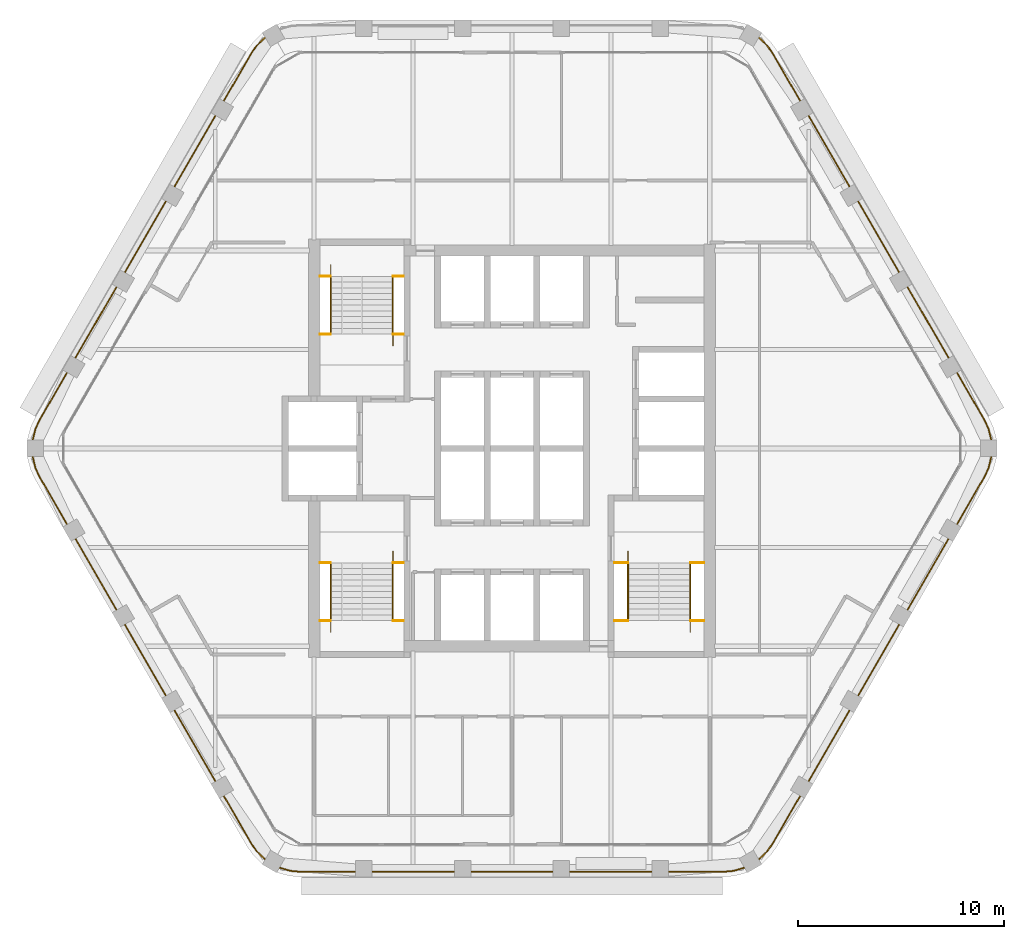
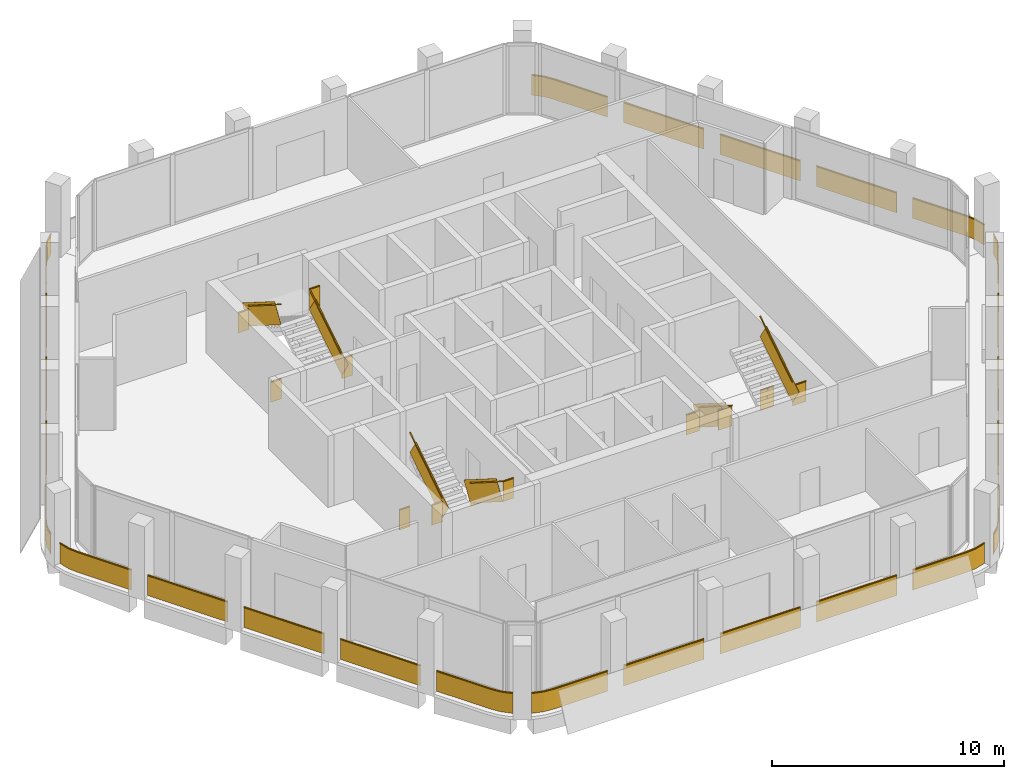
# One storey, part 12 of 13: 11 railings.
"""IFC4 building model written with IfcOpenShell, lengths in metres."""

from ifc_helpers import new_model, si_unit, direction, frame, frame_2d, origin, origin_2d, place, context, subcontext, project, spatial, rectangle, extrude, material, type_object, element, save


model = new_model("IFC4")

# Units and contexts
model_context = context("Model", 3, precision=1e-05, world=origin(), true_north=direction((0.0, 1.0)))
body_context = subcontext(model_context, "Body", "Model", "MODEL_VIEW")
ifc_project = project(units=[si_unit("LENGTHUNIT", "METRE"), si_unit("AREAUNIT", "SQUARE_METRE"), si_unit("VOLUMEUNIT", "CUBIC_METRE"), si_unit("PLANEANGLEUNIT", "RADIAN"), si_unit("MASSUNIT", "GRAM", prefix="KILO")], contexts=[model_context])

# Site, building, storey
site_placement = place(None, origin())
site = spatial("IfcSite", under=ifc_project, at=site_placement, CompositionType="ELEMENT")
building_placement = place(site_placement, origin())
building = spatial("IfcBuilding", under=site, at=building_placement, Name="Kolab Exchange Tower", CompositionType="ELEMENT")
storey_placement = place(building_placement, frame((0.0, 0.0, 277.39990234375)))
storey = spatial("IfcBuildingStorey", under=building, at=storey_placement, Name="L62", CompositionType="ELEMENT", Elevation=277.39990234375)

# Railings
ifc_material_1 = material(Name="Stainless steel 316", Category="steel")
railing_type_1 = type_object("IfcRailingType", Name="GUARD 1100", PredefinedType="GUARDRAIL", material=ifc_material_1)
railing_1_placement = place(storey_placement, frame((-9.324951171875, 5.550048828125, 0.0)))
element("IfcRailing", 1, at=railing_1_placement, inside=storey, type_object=railing_type_1, Name="Guard ST1", PredefinedType="GUARDRAIL", context=body_context, shape_type="SweptSolid", body=[
    extrude(rectangle(XDim=0.05, YDim=0.05, at=origin_2d()), frame((0.0, 0.0, 1.0751953125), z_axis=(1.0, 0.0, 0.0), x_axis=(0.0, 1.0, 0.0)), (0.0, 0.0, 1.0), 0.52734375),
    extrude(rectangle(XDim=0.012, YDim=1.05009765625, at=frame_2d((0.0, 0.525146484375))), frame((0.0, 0.0, 0.0), z_axis=(1.0, 0.0, 0.0), x_axis=(0.0, 1.0, 0.0)), (0.0, 0.0, 1.0), 0.52734375),
    extrude(rectangle(XDim=0.05, YDim=0.05, at=origin_2d()), frame((3.54736328125, 0.0, 1.0751953125), z_axis=(1.0, 0.0, 0.0), x_axis=(0.0, 1.0, 0.0)), (0.0, 0.0, 1.0), 0.527587890625),
    extrude(rectangle(XDim=0.012, YDim=1.05009765625, at=frame_2d((0.0, 0.525146484375))), frame((3.54736328125, 0.0, 0.0), z_axis=(1.0, 0.0, 0.0), x_axis=(0.0, 1.0, 0.0)), (0.0, 0.0, 1.0), 0.527587890625),
    extrude(rectangle(XDim=0.05, YDim=0.05, at=origin_2d()), frame((0.0, 2.800048828125, 3.025390625), z_axis=(1.0, 0.0, 0.0), x_axis=(0.0, 1.0, 0.0)), (0.0, 0.0, 1.0), 0.52734375),
    extrude(rectangle(XDim=0.012, YDim=1.05009765625, at=frame_2d((0.0, 0.525146484375))), frame((0.0, 2.800048828125, 1.9501953125), z_axis=(1.0, 0.0, 0.0), x_axis=(0.0, 1.0, 0.0)), (0.0, 0.0, 1.0), 0.52734375),
    extrude(rectangle(XDim=0.05, YDim=0.05, at=origin_2d()), frame((3.54736328125, 2.800048828125, 3.025390625), z_axis=(1.0, 0.0, 0.0), x_axis=(0.0, 1.0, 0.0)), (0.0, 0.0, 1.0), 0.527587890625),
    extrude(rectangle(XDim=0.012, YDim=1.05009765625, at=frame_2d((0.0, 0.525146484375))), frame((3.54736328125, 2.800048828125, 1.9501953125), z_axis=(1.0, 0.0, 0.0), x_axis=(0.0, 1.0, 0.0)), (0.0, 0.0, 1.0), 0.527587890625),
])
railing_2_placement = place(storey_placement, frame((-5.777587890625, 5.550048828125, 0.177490234375)))
element("IfcRailing", 2, at=railing_2_placement, inside=storey, type_object=railing_type_1, Name="Handrail guard ST1", PredefinedType="GUARDRAIL", context=body_context, shape_type="SweptSolid", body=[
    extrude(rectangle(XDim=0.05, YDim=0.05, at=origin_2d()), frame((0.0, 0.0, 1.0751953125), z_axis=(0.0, 0.844908973607, 0.534910110503), x_axis=(-1.0, 0.0, 0.0)), (0.0, 0.0, 1.0), 3.31396484375),
    extrude(rectangle(XDim=0.012, YDim=1.05009765625, at=frame_2d((0.0, 0.525146484375))), frame((0.0, 0.0, 0.0), z_axis=(0.0, 0.844908973607, 0.534910110503), x_axis=(-1.0, 0.0, 0.0)), (0.0, 0.0, 1.0), 3.31396484375),
    extrude(rectangle(XDim=0.05, YDim=0.05, at=origin_2d()), frame((-3.02001953125, 2.800048828125, 3.025146484375), z_axis=(0.0, -0.844908973607, 0.534910110503), x_axis=(1.0, 0.0, 0.0)), (0.0, 0.0, 1.0), 3.31396484375),
    extrude(rectangle(XDim=0.012, YDim=1.05009765625, at=frame_2d((0.0, 0.525146484375))), frame((-3.02001953125, 2.800048828125, 1.949951171875), z_axis=(0.0, -0.844908973607, 0.534910110503), x_axis=(1.0, 0.0, 0.0)), (0.0, 0.0, 1.0), 3.31396484375),
])
railing_3_placement = place(storey_placement, frame((-9.324951171875, -5.550048828125, 0.0)))
element("IfcRailing", 3, at=railing_3_placement, inside=storey, type_object=railing_type_1, Name="Guard ST3", PredefinedType="GUARDRAIL", context=body_context, shape_type="SweptSolid", body=[
    extrude(rectangle(XDim=0.05, YDim=0.05, at=origin_2d()), frame((0.0, 0.0, 1.0751953125), z_axis=(1.0, 0.0, 0.0), x_axis=(0.0, 1.0, 0.0)), (0.0, 0.0, 1.0), 0.52734375),
    extrude(rectangle(XDim=0.012, YDim=1.05009765625, at=frame_2d((0.0, 0.525146484375))), frame((0.0, 0.0, 0.0), z_axis=(1.0, 0.0, 0.0), x_axis=(0.0, 1.0, 0.0)), (0.0, 0.0, 1.0), 0.52734375),
    extrude(rectangle(XDim=0.05, YDim=0.05, at=origin_2d()), frame((3.54736328125, 0.0, 1.0751953125), z_axis=(1.0, 0.0, 0.0), x_axis=(0.0, 1.0, 0.0)), (0.0, 0.0, 1.0), 0.527587890625),
    extrude(rectangle(XDim=0.012, YDim=1.05009765625, at=frame_2d((0.0, 0.525146484375))), frame((3.54736328125, 0.0, 0.0), z_axis=(1.0, 0.0, 0.0), x_axis=(0.0, 1.0, 0.0)), (0.0, 0.0, 1.0), 0.527587890625),
    extrude(rectangle(XDim=0.05, YDim=0.05, at=origin_2d()), frame((0.0, -2.800048828125, 3.025390625), z_axis=(1.0, 0.0, 0.0), x_axis=(0.0, 1.0, 0.0)), (0.0, 0.0, 1.0), 0.52734375),
    extrude(rectangle(XDim=0.012, YDim=1.05009765625, at=frame_2d((0.0, 0.525146484375))), frame((0.0, -2.800048828125, 1.9501953125), z_axis=(1.0, 0.0, 0.0), x_axis=(0.0, 1.0, 0.0)), (0.0, 0.0, 1.0), 0.52734375),
    extrude(rectangle(XDim=0.05, YDim=0.05, at=origin_2d()), frame((3.54736328125, -2.800048828125, 3.025390625), z_axis=(1.0, 0.0, 0.0), x_axis=(0.0, 1.0, 0.0)), (0.0, 0.0, 1.0), 0.527587890625),
    extrude(rectangle(XDim=0.012, YDim=1.05009765625, at=frame_2d((0.0, 0.525146484375))), frame((3.54736328125, -2.800048828125, 1.9501953125), z_axis=(1.0, 0.0, 0.0), x_axis=(0.0, 1.0, 0.0)), (0.0, 0.0, 1.0), 0.527587890625),
])
railing_4_placement = place(storey_placement, frame((-5.777587890625, -5.550048828125, 0.177490234375)))
element("IfcRailing", 4, at=railing_4_placement, inside=storey, type_object=railing_type_1, Name="Handrail guard ST3", PredefinedType="GUARDRAIL", context=body_context, shape_type="SweptSolid", body=[
    extrude(rectangle(XDim=0.05, YDim=0.05, at=origin_2d()), frame((0.0, 0.0, 1.0751953125), z_axis=(0.0, -0.844908973607, 0.534910110503), x_axis=(1.0, 0.0, 0.0)), (0.0, 0.0, 1.0), 3.31396484375),
    extrude(rectangle(XDim=0.012, YDim=1.05009765625, at=frame_2d((0.0, 0.525146484375))), frame((0.0, 0.0, 0.0), z_axis=(0.0, -0.844908973607, 0.534910110503), x_axis=(1.0, 0.0, 0.0)), (0.0, 0.0, 1.0), 3.31396484375),
    extrude(rectangle(XDim=0.05, YDim=0.05, at=origin_2d()), frame((-3.02001953125, -2.800048828125, 3.025146484375), z_axis=(0.0, 0.844908973607, 0.534910110503), x_axis=(-1.0, 0.0, 0.0)), (0.0, 0.0, 1.0), 3.31396484375),
    extrude(rectangle(XDim=0.012, YDim=1.05009765625, at=frame_2d((0.0, 0.525146484375))), frame((-3.02001953125, -2.800048828125, 1.949951171875), z_axis=(0.0, 0.844908973607, 0.534910110503), x_axis=(-1.0, 0.0, 0.0)), (0.0, 0.0, 1.0), 3.31396484375),
])
railing_5_placement = place(storey_placement, frame((4.949951171875, -5.550048828125, 0.0)))
element("IfcRailing", 5, at=railing_5_placement, inside=storey, type_object=railing_type_1, Name="Guard ST2", PredefinedType="GUARDRAIL", context=body_context, shape_type="SweptSolid", body=[
    extrude(rectangle(XDim=0.05, YDim=0.05, at=origin_2d()), frame((0.0, 0.0, 1.0751953125), z_axis=(1.0, 0.0, 0.0), x_axis=(0.0, 1.0, 0.0)), (0.0, 0.0, 1.0), 0.677490234375),
    extrude(rectangle(XDim=0.012, YDim=1.05009765625, at=frame_2d((0.0, 0.525146484375))), frame((0.0, 0.0, 0.0), z_axis=(1.0, 0.0, 0.0), x_axis=(0.0, 1.0, 0.0)), (0.0, 0.0, 1.0), 0.677490234375),
    extrude(rectangle(XDim=0.05, YDim=0.05, at=origin_2d()), frame((3.697509765625, 0.0, 1.0751953125), z_axis=(1.0, 0.0, 0.0), x_axis=(0.0, 1.0, 0.0)), (0.0, 0.0, 1.0), 0.677490234375),
    extrude(rectangle(XDim=0.012, YDim=1.05009765625, at=frame_2d((0.0, 0.525146484375))), frame((3.697509765625, 0.0, 0.0), z_axis=(1.0, 0.0, 0.0), x_axis=(0.0, 1.0, 0.0)), (0.0, 0.0, 1.0), 0.677490234375),
    extrude(rectangle(XDim=0.05, YDim=0.05, at=origin_2d()), frame((0.0, -2.800048828125, 3.025390625), z_axis=(1.0, 0.0, 0.0), x_axis=(0.0, 1.0, 0.0)), (0.0, 0.0, 1.0), 0.677490234375),
    extrude(rectangle(XDim=0.012, YDim=1.05009765625, at=frame_2d((0.0, 0.525146484375))), frame((0.0, -2.800048828125, 1.9501953125), z_axis=(1.0, 0.0, 0.0), x_axis=(0.0, 1.0, 0.0)), (0.0, 0.0, 1.0), 0.677490234375),
    extrude(rectangle(XDim=0.05, YDim=0.05, at=origin_2d()), frame((3.697509765625, -2.800048828125, 3.025390625), z_axis=(1.0, 0.0, 0.0), x_axis=(0.0, 1.0, 0.0)), (0.0, 0.0, 1.0), 0.677490234375),
    extrude(rectangle(XDim=0.012, YDim=1.05009765625, at=frame_2d((0.0, 0.525146484375))), frame((3.697509765625, -2.800048828125, 1.9501953125), z_axis=(1.0, 0.0, 0.0), x_axis=(0.0, 1.0, 0.0)), (0.0, 0.0, 1.0), 0.677490234375),
])
railing_6_placement = place(storey_placement, frame((5.62744140625, -5.550048828125, 0.177490234375)))
element("IfcRailing", 6, at=railing_6_placement, inside=storey, type_object=railing_type_1, Name="Handrail guard ST2", PredefinedType="GUARDRAIL", context=body_context, shape_type="SweptSolid", body=[
    extrude(rectangle(XDim=0.05, YDim=0.05, at=origin_2d()), frame((0.0, 0.0, 1.0751953125), z_axis=(0.0, -0.844908973607, 0.534910110503), x_axis=(1.0, 0.0, 0.0)), (0.0, 0.0, 1.0), 3.31396484375),
    extrude(rectangle(XDim=0.012, YDim=1.05009765625, at=frame_2d((0.0, 0.525146484375))), frame((0.0, 0.0, 0.0), z_axis=(0.0, -0.844908973607, 0.534910110503), x_axis=(1.0, 0.0, 0.0)), (0.0, 0.0, 1.0), 3.31396484375),
    extrude(rectangle(XDim=0.05, YDim=0.05, at=origin_2d()), frame((3.02001953125, -2.800048828125, 3.025146484375), z_axis=(0.0, 0.844908973607, 0.534910110503), x_axis=(-1.0, 0.0, 0.0)), (0.0, 0.0, 1.0), 3.31396484375),
    extrude(rectangle(XDim=0.012, YDim=1.05009765625, at=frame_2d((0.0, 0.525146484375))), frame((3.02001953125, -2.800048828125, 1.949951171875), z_axis=(0.0, 0.844908973607, 0.534910110503), x_axis=(-1.0, 0.0, 0.0)), (0.0, 0.0, 1.0), 3.31396484375),
])
ifc_material_2 = material(Name="Steel S235", Category="steel")
railing_type_2 = type_object("IfcRailingType", Name="GUARD 1100 GLASS BALUSTRADE AND STEEL TOP RAIL", PredefinedType="GUARDRAIL", material=ifc_material_2)
railing_7_placement = place(storey_placement, frame((23.2509765625, 0.3984375, 0.0)))
element("IfcRailing", 7, at=railing_7_placement, inside=storey, type_object=railing_type_2, Name="Guard", PredefinedType="GUARDRAIL", context=body_context, shape_type="SweptSolid", body=[
    extrude(rectangle(XDim=0.05, YDim=0.05, at=origin_2d()), frame((0.0, 0.0, 1.0751953125), z_axis=(-0.234597748196, 0.972092534968, 0.0), x_axis=(-0.972092534968, -0.234597748196, 0.0)), (0.0, 0.0, 1.0), 0.557861328125),
    extrude(rectangle(XDim=0.012, YDim=1.05009765625, at=frame_2d((0.0, 0.525146484375))), frame((0.0, 0.0, 0.0), z_axis=(-0.234597748196, 0.972092534968, 0.0), x_axis=(-0.972092534968, -0.234597748196, 0.0)), (0.0, 0.0, 1.0), 0.557861328125),
    extrude(rectangle(XDim=0.05, YDim=0.05, at=origin_2d()), frame((-0.130859375, 0.542236328125, 1.0751953125), z_axis=(-0.422801802984, 0.906222177721, 0.0), x_axis=(-0.906222177721, -0.422801802984, 0.0)), (0.0, 0.0, 1.0), 0.479248046875),
    extrude(rectangle(XDim=0.012, YDim=1.05009765625, at=frame_2d((0.0, 0.525146484375))), frame((-0.130859375, 0.542236328125, 0.0), z_axis=(-0.422801802984, 0.906222177721, 0.0), x_axis=(-0.906222177721, -0.422801802984, 0.0)), (0.0, 0.0, 1.0), 0.479248046875),
    extrude(rectangle(XDim=0.05, YDim=0.05, at=origin_2d()), frame((-0.33349609375, 0.9765625, 1.0751953125), z_axis=(-0.499997052475, 0.866027105532, 0.0), x_axis=(-0.866027105532, -0.499997052475, 0.0)), (0.0, 0.0, 1.0), 2.66796875),
    extrude(rectangle(XDim=0.012, YDim=1.05009765625, at=frame_2d((0.0, 0.525146484375))), frame((-0.33349609375, 0.9765625, 0.0), z_axis=(-0.499997052475, 0.866027105532, 0.0), x_axis=(-0.866027105532, -0.499997052475, 0.0)), (0.0, 0.0, 1.0), 2.66796875),
    extrude(rectangle(XDim=0.05, YDim=0.05, at=origin_2d()), frame((-2.0673828125, 3.97998046875, 1.0751953125), z_axis=(-0.49999894854, 0.866026010844, 0.0), x_axis=(-0.866026010844, -0.49999894854, 0.0)), (0.0, 0.0, 1.0), 4.0),
    extrude(rectangle(XDim=0.012, YDim=1.05009765625, at=frame_2d((0.0, 0.525146484375))), frame((-2.0673828125, 3.97998046875, 0.0), z_axis=(-0.49999894854, 0.866026010844, 0.0), x_axis=(-0.866026010844, -0.49999894854, 0.0)), (0.0, 0.0, 1.0), 4.0),
    extrude(rectangle(XDim=0.05, YDim=0.05, at=origin_2d()), frame((-4.467529296875, 8.13671875, 1.0751953125), z_axis=(-0.49999894854, 0.866026010844, 0.0), x_axis=(-0.866026010844, -0.49999894854, 0.0)), (0.0, 0.0, 1.0), 4.0),
    extrude(rectangle(XDim=0.012, YDim=1.05009765625, at=frame_2d((0.0, 0.525146484375))), frame((-4.467529296875, 8.13671875, 0.0), z_axis=(-0.49999894854, 0.866026010844, 0.0), x_axis=(-0.866026010844, -0.49999894854, 0.0)), (0.0, 0.0, 1.0), 4.0),
    extrude(rectangle(XDim=0.05, YDim=0.05, at=origin_2d()), frame((-6.867431640625, 12.293701171875, 1.0751953125), z_axis=(-0.49999894854, 0.866026010844, 0.0), x_axis=(-0.866026010844, -0.49999894854, 0.0)), (0.0, 0.0, 1.0), 4.0),
    extrude(rectangle(XDim=0.012, YDim=1.05009765625, at=frame_2d((0.0, 0.525146484375))), frame((-6.867431640625, 12.293701171875, 0.0), z_axis=(-0.49999894854, 0.866026010844, 0.0), x_axis=(-0.866026010844, -0.49999894854, 0.0)), (0.0, 0.0, 1.0), 4.0),
    extrude(rectangle(XDim=0.05, YDim=0.05, at=origin_2d()), frame((-9.267578125, 16.45068359375, 1.0751953125), z_axis=(-0.499997052475, 0.866027105532, 0.0), x_axis=(-0.866027105532, -0.499997052475, 0.0)), (0.0, 0.0, 1.0), 2.66796875),
    extrude(rectangle(XDim=0.012, YDim=1.05009765625, at=frame_2d((0.0, 0.525146484375))), frame((-9.267578125, 16.45068359375, 0.0), z_axis=(-0.499997052475, 0.866027105532, 0.0), x_axis=(-0.866027105532, -0.499997052475, 0.0)), (0.0, 0.0, 1.0), 2.66796875),
    extrude(rectangle(XDim=0.05, YDim=0.05, at=origin_2d()), frame((-10.6015625, 18.76123046875, 1.0751953125), z_axis=(-0.573599091554, 0.819136180478, 0.0), x_axis=(-0.819136180478, -0.573599091554, 0.0)), (0.0, 0.0, 1.0), 0.479248046875),
    extrude(rectangle(XDim=0.012, YDim=1.05009765625, at=frame_2d((0.0, 0.525146484375))), frame((-10.6015625, 18.76123046875, 0.0), z_axis=(-0.573599091554, 0.819136180478, 0.0), x_axis=(-0.819136180478, -0.573599091554, 0.0)), (0.0, 0.0, 1.0), 0.479248046875),
    extrude(rectangle(XDim=0.05, YDim=0.05, at=origin_2d()), frame((-10.87646484375, 19.15380859375, 1.0751953125), z_axis=(-0.724189990991, 0.689600505327, 0.0), x_axis=(-0.689600505327, -0.724189990991, 0.0)), (0.0, 0.0, 1.0), 0.5576171875),
    extrude(rectangle(XDim=0.012, YDim=1.05009765625, at=frame_2d((0.0, 0.525146484375))), frame((-10.87646484375, 19.15380859375, 0.0), z_axis=(-0.724189990991, 0.689600505327, 0.0), x_axis=(-0.689600505327, -0.724189990991, 0.0)), (0.0, 0.0, 1.0), 0.5576171875),
])
railing_8_placement = place(storey_placement, frame((11.970703125, -19.936767578125, 0.0)))
element("IfcRailing", 8, at=railing_8_placement, inside=storey, type_object=railing_type_2, Name="Guard", PredefinedType="GUARDRAIL", context=body_context, shape_type="SweptSolid", body=[
    extrude(rectangle(XDim=0.05, YDim=0.05, at=origin_2d()), frame((0.0, 0.0, 1.0751953125), z_axis=(0.724189990991, 0.689600505327, 0.0), x_axis=(-0.689600505327, 0.724189990991, 0.0)), (0.0, 0.0, 1.0), 0.5576171875),
    extrude(rectangle(XDim=0.012, YDim=1.05009765625, at=frame_2d((0.0, 0.525146484375))), frame((0.0, 0.0, 0.0), z_axis=(0.724189990991, 0.689600505327, 0.0), x_axis=(-0.689600505327, 0.724189990991, 0.0)), (0.0, 0.0, 1.0), 0.5576171875),
    extrude(rectangle(XDim=0.05, YDim=0.05, at=origin_2d()), frame((0.40380859375, 0.384521484375, 1.0751953125), z_axis=(0.573599091554, 0.819136180478, 0.0), x_axis=(-0.819136180478, 0.573599091554, 0.0)), (0.0, 0.0, 1.0), 0.479248046875),
    extrude(rectangle(XDim=0.012, YDim=1.05009765625, at=frame_2d((0.0, 0.525146484375))), frame((0.40380859375, 0.384521484375, 0.0), z_axis=(0.573599091554, 0.819136180478, 0.0), x_axis=(-0.819136180478, 0.573599091554, 0.0)), (0.0, 0.0, 1.0), 0.479248046875),
    extrude(rectangle(XDim=0.05, YDim=0.05, at=origin_2d()), frame((0.6787109375, 0.777099609375, 1.0751953125), z_axis=(0.499997052475, 0.866027105532, 0.0), x_axis=(-0.866027105532, 0.499997052475, 0.0)), (0.0, 0.0, 1.0), 2.66796875),
    extrude(rectangle(XDim=0.012, YDim=1.05009765625, at=frame_2d((0.0, 0.525146484375))), frame((0.6787109375, 0.777099609375, 0.0), z_axis=(0.499997052475, 0.866027105532, 0.0), x_axis=(-0.866027105532, 0.499997052475, 0.0)), (0.0, 0.0, 1.0), 2.66796875),
    extrude(rectangle(XDim=0.05, YDim=0.05, at=origin_2d()), frame((2.412841796875, 3.780517578125, 1.0751953125), z_axis=(0.49999894854, 0.866026010844, 0.0), x_axis=(-0.866026010844, 0.49999894854, 0.0)), (0.0, 0.0, 1.0), 4.0),
    extrude(rectangle(XDim=0.012, YDim=1.05009765625, at=frame_2d((0.0, 0.525146484375))), frame((2.412841796875, 3.780517578125, 0.0), z_axis=(0.49999894854, 0.866026010844, 0.0), x_axis=(-0.866026010844, 0.49999894854, 0.0)), (0.0, 0.0, 1.0), 4.0),
    extrude(rectangle(XDim=0.05, YDim=0.05, at=origin_2d()), frame((4.812744140625, 7.9375, 1.0751953125), z_axis=(0.49999894854, 0.866026010844, 0.0), x_axis=(-0.866026010844, 0.49999894854, 0.0)), (0.0, 0.0, 1.0), 4.0),
    extrude(rectangle(XDim=0.012, YDim=1.05009765625, at=frame_2d((0.0, 0.525146484375))), frame((4.812744140625, 7.9375, 0.0), z_axis=(0.49999894854, 0.866026010844, 0.0), x_axis=(-0.866026010844, 0.49999894854, 0.0)), (0.0, 0.0, 1.0), 4.0),
    extrude(rectangle(XDim=0.05, YDim=0.05, at=origin_2d()), frame((7.212890625, 12.09423828125, 1.0751953125), z_axis=(0.49999894854, 0.866026010844, 0.0), x_axis=(-0.866026010844, 0.49999894854, 0.0)), (0.0, 0.0, 1.0), 4.0),
    extrude(rectangle(XDim=0.012, YDim=1.05009765625, at=frame_2d((0.0, 0.525146484375))), frame((7.212890625, 12.09423828125, 0.0), z_axis=(0.49999894854, 0.866026010844, 0.0), x_axis=(-0.866026010844, 0.49999894854, 0.0)), (0.0, 0.0, 1.0), 4.0),
    extrude(rectangle(XDim=0.05, YDim=0.05, at=origin_2d()), frame((9.61279296875, 16.251220703125, 1.0751953125), z_axis=(0.499997052475, 0.866027105532, 0.0), x_axis=(-0.866027105532, 0.499997052475, 0.0)), (0.0, 0.0, 1.0), 2.66796875),
    extrude(rectangle(XDim=0.012, YDim=1.05009765625, at=frame_2d((0.0, 0.525146484375))), frame((9.61279296875, 16.251220703125, 0.0), z_axis=(0.499997052475, 0.866027105532, 0.0), x_axis=(-0.866027105532, 0.499997052475, 0.0)), (0.0, 0.0, 1.0), 2.66796875),
    extrude(rectangle(XDim=0.05, YDim=0.05, at=origin_2d()), frame((10.94677734375, 18.561767578125, 1.0751953125), z_axis=(0.422801802984, 0.906222177721, 0.0), x_axis=(-0.906222177721, 0.422801802984, 0.0)), (0.0, 0.0, 1.0), 0.479248046875),
    extrude(rectangle(XDim=0.012, YDim=1.05009765625, at=frame_2d((0.0, 0.525146484375))), frame((10.94677734375, 18.561767578125, 0.0), z_axis=(0.422801802984, 0.906222177721, 0.0), x_axis=(-0.906222177721, 0.422801802984, 0.0)), (0.0, 0.0, 1.0), 0.479248046875),
    extrude(rectangle(XDim=0.05, YDim=0.05, at=origin_2d()), frame((11.1494140625, 18.99609375, 1.0751953125), z_axis=(0.234597748196, 0.972092534968, 0.0), x_axis=(-0.972092534968, 0.234597748196, 0.0)), (0.0, 0.0, 1.0), 0.557861328125),
    extrude(rectangle(XDim=0.012, YDim=1.05009765625, at=frame_2d((0.0, 0.525146484375))), frame((11.1494140625, 18.99609375, 0.0), z_axis=(0.234597748196, 0.972092534968, 0.0), x_axis=(-0.972092534968, 0.234597748196, 0.0)), (0.0, 0.0, 1.0), 0.557861328125),
])
railing_9_placement = place(storey_placement, frame((-11.280517578125, -20.335205078125, 0.0)))
element("IfcRailing", 9, at=railing_9_placement, inside=storey, type_object=railing_type_2, Name="Guard", PredefinedType="GUARDRAIL", context=body_context, shape_type="SweptSolid", body=[
    extrude(rectangle(XDim=0.05, YDim=0.05, at=origin_2d()), frame((0.0, 0.0, 1.0751953125), z_axis=(0.959212061764, -0.282687496304, 0.0), x_axis=(0.282687496304, 0.959212061764, 0.0)), (0.0, 0.0, 1.0), 0.557861328125),
    extrude(rectangle(XDim=0.012, YDim=1.05009765625, at=frame_2d((0.0, 0.525146484375))), frame((0.0, 0.0, 0.0), z_axis=(0.959212061764, -0.282687496304, 0.0), x_axis=(0.282687496304, 0.959212061764, 0.0)), (0.0, 0.0, 1.0), 0.557861328125),
    extrude(rectangle(XDim=0.05, YDim=0.05, at=origin_2d()), frame((0.53515625, -0.15771484375, 1.0751953125), z_axis=(0.996196482496, -0.087135344505, 0.0), x_axis=(0.087135344505, 0.996196482496, 0.0)), (0.0, 0.0, 1.0), 0.47900390625),
    extrude(rectangle(XDim=0.012, YDim=1.05009765625, at=frame_2d((0.0, 0.525146484375))), frame((0.53515625, -0.15771484375, 0.0), z_axis=(0.996196482496, -0.087135344505, 0.0), x_axis=(0.087135344505, 0.996196482496, 0.0)), (0.0, 0.0, 1.0), 0.47900390625),
    extrude(rectangle(XDim=0.05, YDim=0.05, at=origin_2d()), frame((1.012451171875, -0.199462890625, 1.0751953125), z_axis=(1.0, 0.0, 0.0), x_axis=(0.0, 1.0, 0.0)), (0.0, 0.0, 1.0), 2.66796875),
    extrude(rectangle(XDim=0.012, YDim=1.05009765625, at=frame_2d((0.0, 0.525146484375))), frame((1.012451171875, -0.199462890625, 0.0), z_axis=(1.0, 0.0, 0.0), x_axis=(0.0, 1.0, 0.0)), (0.0, 0.0, 1.0), 2.66796875),
    extrude(rectangle(XDim=0.05, YDim=0.05, at=origin_2d()), frame((4.48046875, -0.199462890625, 1.0751953125), z_axis=(1.0, 0.0, 0.0), x_axis=(0.0, 1.0, 0.0)), (0.0, 0.0, 1.0), 4.0),
    extrude(rectangle(XDim=0.012, YDim=1.05009765625, at=frame_2d((0.0, 0.525146484375))), frame((4.48046875, -0.199462890625, 0.0), z_axis=(1.0, 0.0, 0.0), x_axis=(0.0, 1.0, 0.0)), (0.0, 0.0, 1.0), 4.0),
    extrude(rectangle(XDim=0.05, YDim=0.05, at=origin_2d()), frame((9.280517578125, -0.199462890625, 1.0751953125), z_axis=(1.0, 0.0, 0.0), x_axis=(0.0, 1.0, 0.0)), (0.0, 0.0, 1.0), 4.0),
    extrude(rectangle(XDim=0.012, YDim=1.05009765625, at=frame_2d((0.0, 0.525146484375))), frame((9.280517578125, -0.199462890625, 0.0), z_axis=(1.0, 0.0, 0.0), x_axis=(0.0, 1.0, 0.0)), (0.0, 0.0, 1.0), 4.0),
    extrude(rectangle(XDim=0.05, YDim=0.05, at=origin_2d()), frame((14.08056640625, -0.199462890625, 1.0751953125), z_axis=(1.0, 0.0, 0.0), x_axis=(0.0, 1.0, 0.0)), (0.0, 0.0, 1.0), 4.0),
    extrude(rectangle(XDim=0.012, YDim=1.05009765625, at=frame_2d((0.0, 0.525146484375))), frame((14.08056640625, -0.199462890625, 0.0), z_axis=(1.0, 0.0, 0.0), x_axis=(0.0, 1.0, 0.0)), (0.0, 0.0, 1.0), 4.0),
    extrude(rectangle(XDim=0.05, YDim=0.05, at=origin_2d()), frame((18.880615234375, -0.199462890625, 1.0751953125), z_axis=(1.0, 0.0, 0.0), x_axis=(0.0, 1.0, 0.0)), (0.0, 0.0, 1.0), 2.66796875),
    extrude(rectangle(XDim=0.012, YDim=1.05009765625, at=frame_2d((0.0, 0.525146484375))), frame((18.880615234375, -0.199462890625, 0.0), z_axis=(1.0, 0.0, 0.0), x_axis=(0.0, 1.0, 0.0)), (0.0, 0.0, 1.0), 2.66796875),
    extrude(rectangle(XDim=0.05, YDim=0.05, at=origin_2d()), frame((21.548583984375, -0.199462890625, 1.0751953125), z_axis=(0.996196482496, 0.087135344505, 0.0), x_axis=(-0.087135344505, 0.996196482496, 0.0)), (0.0, 0.0, 1.0), 0.47900390625),
    extrude(rectangle(XDim=0.012, YDim=1.05009765625, at=frame_2d((0.0, 0.525146484375))), frame((21.548583984375, -0.199462890625, 0.0), z_axis=(0.996196482496, 0.087135344505, 0.0), x_axis=(-0.087135344505, 0.996196482496, 0.0)), (0.0, 0.0, 1.0), 0.47900390625),
    extrude(rectangle(XDim=0.05, YDim=0.05, at=origin_2d()), frame((22.02587890625, -0.15771484375, 1.0751953125), z_axis=(0.959212061764, 0.282687496304, 0.0), x_axis=(-0.282687496304, 0.959212061764, 0.0)), (0.0, 0.0, 1.0), 0.557861328125),
    extrude(rectangle(XDim=0.012, YDim=1.05009765625, at=frame_2d((0.0, 0.525146484375))), frame((22.02587890625, -0.15771484375, 0.0), z_axis=(0.959212061764, 0.282687496304, 0.0), x_axis=(-0.282687496304, 0.959212061764, 0.0)), (0.0, 0.0, 1.0), 0.557861328125),
])
railing_10_placement = place(storey_placement, frame((-23.2509765625, -0.3984375, 0.0)))
element("IfcRailing", 10, at=railing_10_placement, inside=storey, type_object=railing_type_2, Name="Guard", PredefinedType="GUARDRAIL", context=body_context, shape_type="SweptSolid", body=[
    extrude(rectangle(XDim=0.05, YDim=0.05, at=origin_2d()), frame((0.0, 0.0, 1.0751953125), z_axis=(0.234597748196, -0.972092534968, 0.0), x_axis=(0.972092534968, 0.234597748196, 0.0)), (0.0, 0.0, 1.0), 0.557861328125),
    extrude(rectangle(XDim=0.012, YDim=1.05009765625, at=frame_2d((0.0, 0.525146484375))), frame((0.0, 0.0, 0.0), z_axis=(0.234597748196, -0.972092534968, 0.0), x_axis=(0.972092534968, 0.234597748196, 0.0)), (0.0, 0.0, 1.0), 0.557861328125),
    extrude(rectangle(XDim=0.05, YDim=0.05, at=origin_2d()), frame((0.130859375, -0.542236328125, 1.0751953125), z_axis=(0.422801802984, -0.906222177721, 0.0), x_axis=(0.906222177721, 0.422801802984, 0.0)), (0.0, 0.0, 1.0), 0.479248046875),
    extrude(rectangle(XDim=0.012, YDim=1.05009765625, at=frame_2d((0.0, 0.525146484375))), frame((0.130859375, -0.542236328125, 0.0), z_axis=(0.422801802984, -0.906222177721, 0.0), x_axis=(0.906222177721, 0.422801802984, 0.0)), (0.0, 0.0, 1.0), 0.479248046875),
    extrude(rectangle(XDim=0.05, YDim=0.05, at=origin_2d()), frame((0.33349609375, -0.9765625, 1.0751953125), z_axis=(0.499997052475, -0.866027105532, 0.0), x_axis=(0.866027105532, 0.499997052475, 0.0)), (0.0, 0.0, 1.0), 2.66796875),
    extrude(rectangle(XDim=0.012, YDim=1.05009765625, at=frame_2d((0.0, 0.525146484375))), frame((0.33349609375, -0.9765625, 0.0), z_axis=(0.499997052475, -0.866027105532, 0.0), x_axis=(0.866027105532, 0.499997052475, 0.0)), (0.0, 0.0, 1.0), 2.66796875),
    extrude(rectangle(XDim=0.05, YDim=0.05, at=origin_2d()), frame((2.0673828125, -3.97998046875, 1.0751953125), z_axis=(0.49999894854, -0.866026010844, 0.0), x_axis=(0.866026010844, 0.49999894854, 0.0)), (0.0, 0.0, 1.0), 4.0),
    extrude(rectangle(XDim=0.012, YDim=1.05009765625, at=frame_2d((0.0, 0.525146484375))), frame((2.0673828125, -3.97998046875, 0.0), z_axis=(0.49999894854, -0.866026010844, 0.0), x_axis=(0.866026010844, 0.49999894854, 0.0)), (0.0, 0.0, 1.0), 4.0),
    extrude(rectangle(XDim=0.05, YDim=0.05, at=origin_2d()), frame((4.467529296875, -8.13671875, 1.0751953125), z_axis=(0.49999894854, -0.866026010844, 0.0), x_axis=(0.866026010844, 0.49999894854, 0.0)), (0.0, 0.0, 1.0), 4.0),
    extrude(rectangle(XDim=0.012, YDim=1.05009765625, at=frame_2d((0.0, 0.525146484375))), frame((4.467529296875, -8.13671875, 0.0), z_axis=(0.49999894854, -0.866026010844, 0.0), x_axis=(0.866026010844, 0.49999894854, 0.0)), (0.0, 0.0, 1.0), 4.0),
    extrude(rectangle(XDim=0.05, YDim=0.05, at=origin_2d()), frame((6.867431640625, -12.293701171875, 1.0751953125), z_axis=(0.49999894854, -0.866026010844, 0.0), x_axis=(0.866026010844, 0.49999894854, 0.0)), (0.0, 0.0, 1.0), 4.0),
    extrude(rectangle(XDim=0.012, YDim=1.05009765625, at=frame_2d((0.0, 0.525146484375))), frame((6.867431640625, -12.293701171875, 0.0), z_axis=(0.49999894854, -0.866026010844, 0.0), x_axis=(0.866026010844, 0.49999894854, 0.0)), (0.0, 0.0, 1.0), 4.0),
    extrude(rectangle(XDim=0.05, YDim=0.05, at=origin_2d()), frame((9.267578125, -16.45068359375, 1.0751953125), z_axis=(0.499997052475, -0.866027105532, 0.0), x_axis=(0.866027105532, 0.499997052475, 0.0)), (0.0, 0.0, 1.0), 2.66796875),
    extrude(rectangle(XDim=0.012, YDim=1.05009765625, at=frame_2d((0.0, 0.525146484375))), frame((9.267578125, -16.45068359375, 0.0), z_axis=(0.499997052475, -0.866027105532, 0.0), x_axis=(0.866027105532, 0.499997052475, 0.0)), (0.0, 0.0, 1.0), 2.66796875),
    extrude(rectangle(XDim=0.05, YDim=0.05, at=origin_2d()), frame((10.6015625, -18.76123046875, 1.0751953125), z_axis=(0.573599091554, -0.819136180478, 0.0), x_axis=(0.819136180478, 0.573599091554, 0.0)), (0.0, 0.0, 1.0), 0.479248046875),
    extrude(rectangle(XDim=0.012, YDim=1.05009765625, at=frame_2d((0.0, 0.525146484375))), frame((10.6015625, -18.76123046875, 0.0), z_axis=(0.573599091554, -0.819136180478, 0.0), x_axis=(0.819136180478, 0.573599091554, 0.0)), (0.0, 0.0, 1.0), 0.479248046875),
    extrude(rectangle(XDim=0.05, YDim=0.05, at=origin_2d()), frame((10.87646484375, -19.15380859375, 1.0751953125), z_axis=(0.724189990991, -0.689600505327, 0.0), x_axis=(0.689600505327, 0.724189990991, 0.0)), (0.0, 0.0, 1.0), 0.5576171875),
    extrude(rectangle(XDim=0.012, YDim=1.05009765625, at=frame_2d((0.0, 0.525146484375))), frame((10.87646484375, -19.15380859375, 0.0), z_axis=(0.724189990991, -0.689600505327, 0.0), x_axis=(0.689600505327, 0.724189990991, 0.0)), (0.0, 0.0, 1.0), 0.5576171875),
])
railing_11_placement = place(storey_placement, frame((-11.970703125, 19.936767578125, 0.0)))
element("IfcRailing", 11, at=railing_11_placement, inside=storey, type_object=railing_type_2, Name="Guard", PredefinedType="GUARDRAIL", context=body_context, shape_type="SweptSolid", body=[
    extrude(rectangle(XDim=0.05, YDim=0.05, at=origin_2d()), frame((0.0, 0.0, 1.0751953125), z_axis=(-0.724189990991, -0.689600505327, 0.0), x_axis=(0.689600505327, -0.724189990991, 0.0)), (0.0, 0.0, 1.0), 0.5576171875),
    extrude(rectangle(XDim=0.012, YDim=1.05009765625, at=frame_2d((0.0, 0.525146484375))), frame((0.0, 0.0, 0.0), z_axis=(-0.724189990991, -0.689600505327, 0.0), x_axis=(0.689600505327, -0.724189990991, 0.0)), (0.0, 0.0, 1.0), 0.5576171875),
    extrude(rectangle(XDim=0.05, YDim=0.05, at=origin_2d()), frame((-0.40380859375, -0.384521484375, 1.0751953125), z_axis=(-0.573599091554, -0.819136180478, 0.0), x_axis=(0.819136180478, -0.573599091554, 0.0)), (0.0, 0.0, 1.0), 0.479248046875),
    extrude(rectangle(XDim=0.012, YDim=1.05009765625, at=frame_2d((0.0, 0.525146484375))), frame((-0.40380859375, -0.384521484375, 0.0), z_axis=(-0.573599091554, -0.819136180478, 0.0), x_axis=(0.819136180478, -0.573599091554, 0.0)), (0.0, 0.0, 1.0), 0.479248046875),
    extrude(rectangle(XDim=0.05, YDim=0.05, at=origin_2d()), frame((-0.6787109375, -0.777099609375, 1.0751953125), z_axis=(-0.499997052475, -0.866027105532, 0.0), x_axis=(0.866027105532, -0.499997052475, 0.0)), (0.0, 0.0, 1.0), 2.66796875),
    extrude(rectangle(XDim=0.012, YDim=1.05009765625, at=frame_2d((0.0, 0.525146484375))), frame((-0.6787109375, -0.777099609375, 0.0), z_axis=(-0.499997052475, -0.866027105532, 0.0), x_axis=(0.866027105532, -0.499997052475, 0.0)), (0.0, 0.0, 1.0), 2.66796875),
    extrude(rectangle(XDim=0.05, YDim=0.05, at=origin_2d()), frame((-2.412841796875, -3.780517578125, 1.0751953125), z_axis=(-0.49999894854, -0.866026010844, 0.0), x_axis=(0.866026010844, -0.49999894854, 0.0)), (0.0, 0.0, 1.0), 4.0),
    extrude(rectangle(XDim=0.012, YDim=1.05009765625, at=frame_2d((0.0, 0.525146484375))), frame((-2.412841796875, -3.780517578125, 0.0), z_axis=(-0.49999894854, -0.866026010844, 0.0), x_axis=(0.866026010844, -0.49999894854, 0.0)), (0.0, 0.0, 1.0), 4.0),
    extrude(rectangle(XDim=0.05, YDim=0.05, at=origin_2d()), frame((-4.812744140625, -7.9375, 1.0751953125), z_axis=(-0.49999894854, -0.866026010844, 0.0), x_axis=(0.866026010844, -0.49999894854, 0.0)), (0.0, 0.0, 1.0), 4.0),
    extrude(rectangle(XDim=0.012, YDim=1.05009765625, at=frame_2d((0.0, 0.525146484375))), frame((-4.812744140625, -7.9375, 0.0), z_axis=(-0.49999894854, -0.866026010844, 0.0), x_axis=(0.866026010844, -0.49999894854, 0.0)), (0.0, 0.0, 1.0), 4.0),
    extrude(rectangle(XDim=0.05, YDim=0.05, at=origin_2d()), frame((-7.212890625, -12.09423828125, 1.0751953125), z_axis=(-0.49999894854, -0.866026010844, 0.0), x_axis=(0.866026010844, -0.49999894854, 0.0)), (0.0, 0.0, 1.0), 4.0),
    extrude(rectangle(XDim=0.012, YDim=1.05009765625, at=frame_2d((0.0, 0.525146484375))), frame((-7.212890625, -12.09423828125, 0.0), z_axis=(-0.49999894854, -0.866026010844, 0.0), x_axis=(0.866026010844, -0.49999894854, 0.0)), (0.0, 0.0, 1.0), 4.0),
    extrude(rectangle(XDim=0.05, YDim=0.05, at=origin_2d()), frame((-9.61279296875, -16.251220703125, 1.0751953125), z_axis=(-0.499997052475, -0.866027105532, 0.0), x_axis=(0.866027105532, -0.499997052475, 0.0)), (0.0, 0.0, 1.0), 2.66796875),
    extrude(rectangle(XDim=0.012, YDim=1.05009765625, at=frame_2d((0.0, 0.525146484375))), frame((-9.61279296875, -16.251220703125, 0.0), z_axis=(-0.499997052475, -0.866027105532, 0.0), x_axis=(0.866027105532, -0.499997052475, 0.0)), (0.0, 0.0, 1.0), 2.66796875),
    extrude(rectangle(XDim=0.05, YDim=0.05, at=origin_2d()), frame((-10.94677734375, -18.561767578125, 1.0751953125), z_axis=(-0.422801802984, -0.906222177721, 0.0), x_axis=(0.906222177721, -0.422801802984, 0.0)), (0.0, 0.0, 1.0), 0.479248046875),
    extrude(rectangle(XDim=0.012, YDim=1.05009765625, at=frame_2d((0.0, 0.525146484375))), frame((-10.94677734375, -18.561767578125, 0.0), z_axis=(-0.422801802984, -0.906222177721, 0.0), x_axis=(0.906222177721, -0.422801802984, 0.0)), (0.0, 0.0, 1.0), 0.479248046875),
    extrude(rectangle(XDim=0.05, YDim=0.05, at=origin_2d()), frame((-11.1494140625, -18.99609375, 1.0751953125), z_axis=(-0.234597748196, -0.972092534968, 0.0), x_axis=(0.972092534968, -0.234597748196, 0.0)), (0.0, 0.0, 1.0), 0.557861328125),
    extrude(rectangle(XDim=0.012, YDim=1.05009765625, at=frame_2d((0.0, 0.525146484375))), frame((-11.1494140625, -18.99609375, 0.0), z_axis=(-0.234597748196, -0.972092534968, 0.0), x_axis=(0.972092534968, -0.234597748196, 0.0)), (0.0, 0.0, 1.0), 0.557861328125),
])

save(model, "model.ifc")
